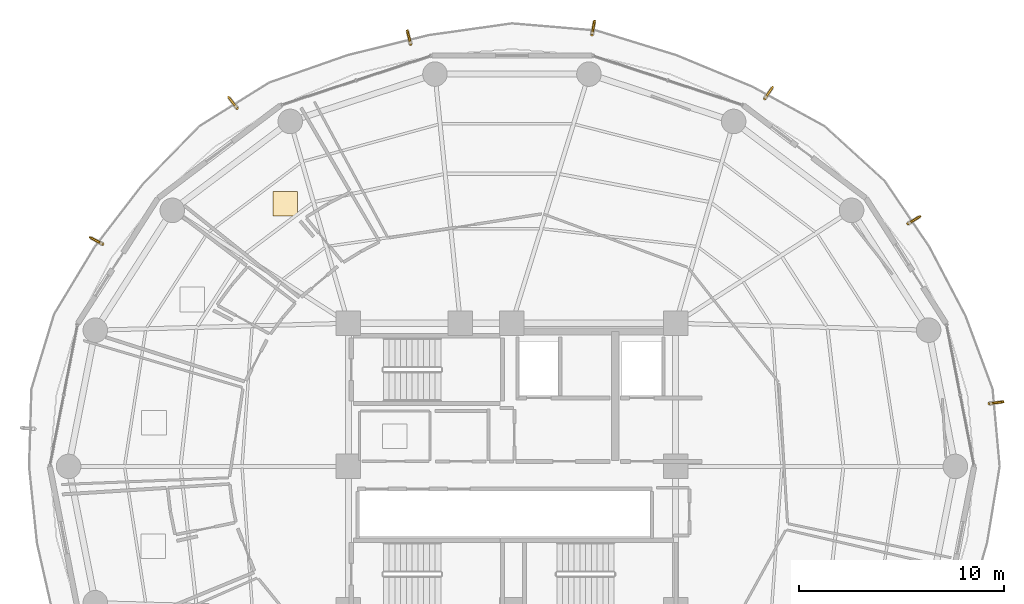
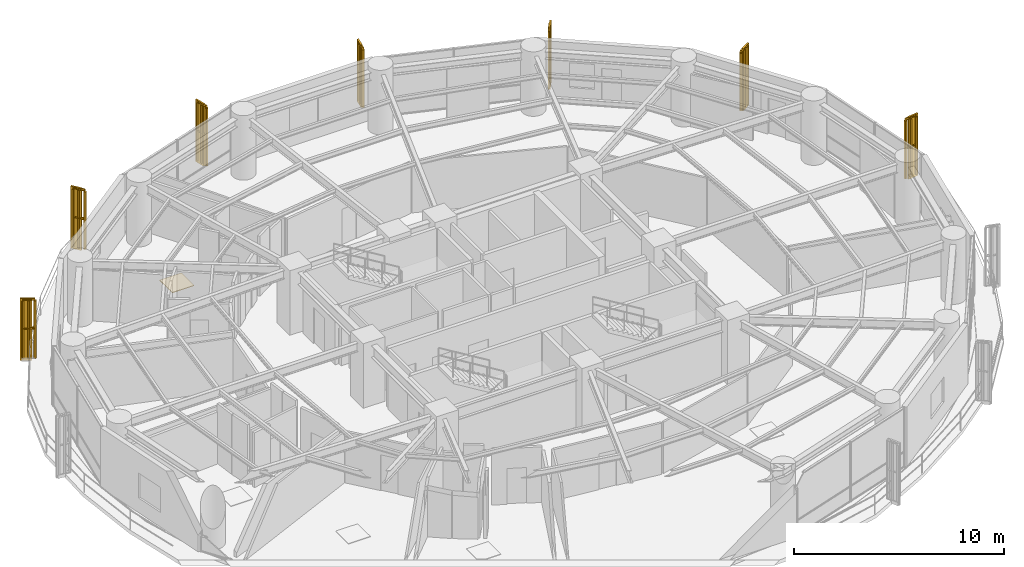
# One storey, part 27 of 27: 7 railings, 7 shading devices, 1 covering.
"""IFC4 building model written with IfcOpenShell, lengths in metres."""

from ifc_helpers import new_model, si_unit, direction, frame, origin, origin_2d, place, context, subcontext, project, spatial, polyline, rectangle, outline, extrude, source, transform, mapped, material, layer, layer_set, type_object, element, save


model = new_model("IFC4")

# Units and contexts
model_context = context("Model", 3, precision=1e-05, world=origin(), true_north=direction((0.0, 1.0)))
body_context = subcontext(model_context, "Body", "Model", "MODEL_VIEW")
ifc_project = project(units=[si_unit("LENGTHUNIT", "METRE"), si_unit("AREAUNIT", "SQUARE_METRE"), si_unit("VOLUMEUNIT", "CUBIC_METRE"), si_unit("PLANEANGLEUNIT", "RADIAN"), si_unit("MASSUNIT", "GRAM", prefix="KILO")], contexts=[model_context])

# Site, building, storey
site_placement = place(None, origin())
site = spatial("IfcSite", under=ifc_project, at=site_placement, CompositionType="ELEMENT")
building_placement = place(site_placement, origin())
building = spatial("IfcBuilding", under=site, at=building_placement, Name="Kelanora Arch Commons", CompositionType="ELEMENT")
storey_placement = place(building_placement, frame((0.0, 0.0, 150.60009765625)))
storey = spatial("IfcBuildingStorey", under=building, at=storey_placement, Name="L38", CompositionType="ELEMENT", Elevation=150.60009765625)

# Railings
ifc_material_1 = material(Name="Anodised bronze vertical shading fin rib assembly")
railing_type = type_object("IfcRailingType", Name="RAIL-FIN-BRZ", PredefinedType="BALUSTRADE", material=ifc_material_1)
railing_1_placement = place(storey_placement, frame((97.341796875, 61.072509765625, -0.02001953125)))
element("IfcRailing", 1, at=railing_1_placement, inside=storey, type_object=railing_type, Name="Sweeping Bronze Vertical Fin Blade L38-00", PredefinedType="BALUSTRADE", context=body_context, shape_type="SweptSolid", body=[
    extrude(outline(polyline([(0.06982421875, 0.0), (0.034912109375, 0.060546875), (-0.034912109375, 0.060546875), (-0.06982421875, 0.0), (-0.034912109375, -0.060546875), (0.034912109375, -0.060546875), (0.06982421875, 0.0)])), frame((0.0, 0.0, 3.419921875), z_axis=(0.991416589713, 0.130740757387, 0.0), x_axis=(-0.130740757387, 0.991416589713, 0.0)), (0.0, 0.0, 1.0), 0.595703125),
    extrude(outline(polyline([(0.06982421875, 0.0), (0.034912109375, 0.060546875), (-0.034912109375, 0.060546875), (-0.06982421875, 0.0), (-0.034912109375, -0.060546875), (0.034912109375, -0.060546875), (0.06982421875, 0.0)])), frame((0.0, 0.0, 1.7451171875), z_axis=(0.991416589713, 0.130740757387, 0.0), x_axis=(-0.130740757387, 0.991416589713, 0.0)), (0.0, 0.0, 1.0), 0.595703125),
    extrude(outline(polyline([(0.080078125, 0.0), (0.0400390625, 0.0693359375), (-0.0400390625, 0.0693359375), (-0.080078125, 0.0), (-0.0400390625, -0.0693359375), (0.0400390625, -0.0693359375), (0.080078125, 0.0)])), origin(), (0.0, 0.0, 1.0), 3.35009765625),
    extrude(outline(polyline([(0.080078125, 0.0), (0.0400390625, 0.0693359375), (-0.0400390625, 0.0693359375), (-0.080078125, 0.0), (-0.0400390625, -0.0693359375), (0.0400390625, -0.0693359375), (0.080078125, 0.0)])), frame((0.29541015625, 0.0390625, 0.0)), (0.0, 0.0, 1.0), 3.35009765625),
    extrude(outline(polyline([(0.080078125, 0.0), (0.0400390625, 0.0693359375), (-0.0400390625, 0.0693359375), (-0.080078125, 0.0), (-0.0400390625, -0.0693359375), (0.0400390625, -0.0693359375), (0.080078125, 0.0)])), frame((0.590576171875, 0.077880859375, 0.0)), (0.0, 0.0, 1.0), 3.35009765625),
])
railing_2_placement = place(storey_placement, frame((93.37109375, 69.8701171875, -0.02001953125)))
element("IfcRailing", 2, at=railing_2_placement, inside=storey, type_object=railing_type, Name="Sweeping Bronze Vertical Fin Blade L38-01", PredefinedType="BALUSTRADE", context=body_context, shape_type="SweptSolid", body=[
    extrude(outline(polyline([(0.06982421875, 0.0), (0.034912109375, 0.060546875), (-0.034912109375, 0.060546875), (-0.06982421875, 0.0), (-0.034912109375, -0.060546875), (0.034912109375, -0.060546875), (0.06982421875, 0.0)])), frame((0.0, 0.0, 3.419921875), z_axis=(0.852571796006, 0.52261011534, 0.0), x_axis=(-0.52261011534, 0.852571796006, 0.0)), (0.0, 0.0, 1.0), 0.595703125),
    extrude(outline(polyline([(0.06982421875, 0.0), (0.034912109375, 0.060546875), (-0.034912109375, 0.060546875), (-0.06982421875, 0.0), (-0.034912109375, -0.060546875), (0.034912109375, -0.060546875), (0.06982421875, 0.0)])), frame((0.0, 0.0, 1.7451171875), z_axis=(0.852571796006, 0.52261011534, 0.0), x_axis=(-0.52261011534, 0.852571796006, 0.0)), (0.0, 0.0, 1.0), 0.595703125),
    extrude(outline(polyline([(0.080078125, 0.0), (0.0400390625, 0.0693359375), (-0.0400390625, 0.0693359375), (-0.080078125, 0.0), (-0.0400390625, -0.0693359375), (0.0400390625, -0.0693359375), (0.080078125, 0.0)])), origin(), (0.0, 0.0, 1.0), 3.35009765625),
    extrude(outline(polyline([(0.080078125, 0.0), (0.0400390625, 0.0693359375), (-0.0400390625, 0.0693359375), (-0.080078125, 0.0), (-0.0400390625, -0.0693359375), (0.0400390625, -0.0693359375), (0.080078125, 0.0)])), frame((0.25390625, 0.15576171875, 0.0)), (0.0, 0.0, 1.0), 3.35009765625),
    extrude(outline(polyline([(0.080078125, 0.0), (0.0400390625, 0.0693359375), (-0.0400390625, 0.0693359375), (-0.080078125, 0.0), (-0.0400390625, -0.0693359375), (0.0400390625, -0.0693359375), (0.080078125, 0.0)])), frame((0.5078125, 0.311279296875, 0.0)), (0.0, 0.0, 1.0), 3.35009765625),
])
railing_3_placement = place(storey_placement, frame((86.36328125, 75.98828125, -0.02001953125)))
element("IfcRailing", 3, at=railing_3_placement, inside=storey, type_object=railing_type, Name="Sweeping Bronze Vertical Fin Blade L38-02", PredefinedType="BALUSTRADE", context=body_context, shape_type="SweptSolid", body=[
    extrude(outline(polyline([(0.06982421875, 0.0), (0.034912109375, 0.060546875), (-0.034912109375, 0.060546875), (-0.06982421875, 0.0), (-0.034912109375, -0.060546875), (0.034912109375, -0.060546875), (0.06982421875, 0.0)])), frame((0.0, 0.0, 3.419921875), z_axis=(0.56656361998, 0.824018000116, 0.0), x_axis=(-0.824018000116, 0.56656361998, 0.0)), (0.0, 0.0, 1.0), 0.595458984375),
    extrude(outline(polyline([(0.06982421875, 0.0), (0.034912109375, 0.060546875), (-0.034912109375, 0.060546875), (-0.06982421875, 0.0), (-0.034912109375, -0.060546875), (0.034912109375, -0.060546875), (0.06982421875, 0.0)])), frame((0.0, 0.0, 1.7451171875), z_axis=(0.56656361998, 0.824018000116, 0.0), x_axis=(-0.824018000116, 0.56656361998, 0.0)), (0.0, 0.0, 1.0), 0.595458984375),
    extrude(outline(polyline([(0.080078125, 0.0), (0.0400390625, 0.0693359375), (-0.0400390625, 0.0693359375), (-0.080078125, 0.0), (-0.0400390625, -0.0693359375), (0.0400390625, -0.0693359375), (0.080078125, 0.0)])), origin(), (0.0, 0.0, 1.0), 3.35009765625),
    extrude(outline(polyline([(0.080078125, 0.0), (0.0400390625, 0.0693359375), (-0.0400390625, 0.0693359375), (-0.080078125, 0.0), (-0.0400390625, -0.0693359375), (0.0400390625, -0.0693359375), (0.080078125, 0.0)])), frame((0.168701171875, 0.245361328125, 0.0)), (0.0, 0.0, 1.0), 3.35009765625),
    extrude(outline(polyline([(0.080078125, 0.0), (0.0400390625, 0.0693359375), (-0.0400390625, 0.0693359375), (-0.080078125, 0.0), (-0.0400390625, -0.0693359375), (0.0400390625, -0.0693359375), (0.080078125, 0.0)])), frame((0.33740234375, 0.49072265625, 0.0)), (0.0, 0.0, 1.0), 3.35009765625),
])
railing_4_placement = place(storey_placement, frame((77.913818359375, 79.115234375, -0.02001953125)))
element("IfcRailing", 4, at=railing_4_placement, inside=storey, type_object=railing_type, Name="Sweeping Bronze Vertical Fin Blade L38-03", PredefinedType="BALUSTRADE", context=body_context, shape_type="SweptSolid", body=[
    extrude(outline(polyline([(0.06982421875, 0.0), (0.034912109375, 0.060546875), (-0.034912109375, 0.060546875), (-0.06982421875, 0.0), (-0.034912109375, -0.060546875), (0.034912109375, -0.060546875), (0.06982421875, 0.0)])), frame((0.0, 0.0, 3.419921875), z_axis=(0.182456302615, 0.983213963304, 0.0), x_axis=(-0.983213963304, 0.182456302615, 0.0)), (0.0, 0.0, 1.0), 0.595458984375),
    extrude(outline(polyline([(0.06982421875, 0.0), (0.034912109375, 0.060546875), (-0.034912109375, 0.060546875), (-0.06982421875, 0.0), (-0.034912109375, -0.060546875), (0.034912109375, -0.060546875), (0.06982421875, 0.0)])), frame((0.0, 0.0, 1.7451171875), z_axis=(0.182456302615, 0.983213963304, 0.0), x_axis=(-0.983213963304, 0.182456302615, 0.0)), (0.0, 0.0, 1.0), 0.595458984375),
    extrude(outline(polyline([(0.080078125, 0.0), (0.0400390625, 0.0693359375), (-0.0400390625, 0.0693359375), (-0.080078125, 0.0), (-0.0400390625, -0.0693359375), (0.0400390625, -0.0693359375), (0.080078125, 0.0)])), origin(), (0.0, 0.0, 1.0), 3.35009765625),
    extrude(outline(polyline([(0.080078125, 0.0), (0.0400390625, 0.0693359375), (-0.0400390625, 0.0693359375), (-0.080078125, 0.0), (-0.0400390625, -0.0693359375), (0.0400390625, -0.0693359375), (0.080078125, 0.0)])), frame((0.05419921875, 0.292724609375, 0.0)), (0.0, 0.0, 1.0), 3.35009765625),
    extrude(outline(polyline([(0.080078125, 0.0), (0.0400390625, 0.0693359375), (-0.0400390625, 0.0693359375), (-0.080078125, 0.0), (-0.0400390625, -0.0693359375), (0.0400390625, -0.0693359375), (0.080078125, 0.0)])), frame((0.108642578125, 0.58544921875, 0.0)), (0.0, 0.0, 1.0), 3.35009765625),
])
railing_5_placement = place(storey_placement, frame((69.043701171875, 78.64599609375, -0.02001953125)))
element("IfcRailing", 5, at=railing_5_placement, inside=storey, type_object=railing_type, Name="Sweeping Bronze Vertical Fin Blade L38-04", PredefinedType="BALUSTRADE", context=body_context, shape_type="SweptSolid", body=[
    extrude(outline(polyline([(0.06982421875, 0.0), (0.034912109375, 0.060546875), (-0.034912109375, 0.060546875), (-0.06982421875, 0.0), (-0.034912109375, -0.060546875), (0.034912109375, -0.060546875), (0.06982421875, 0.0)])), frame((0.0, 0.0, 3.419921875), z_axis=(-0.233264415271, 0.972413344503, 0.0), x_axis=(-0.972413344503, -0.233264415271, 0.0)), (0.0, 0.0, 1.0), 0.595458984375),
    extrude(outline(polyline([(0.06982421875, 0.0), (0.034912109375, 0.060546875), (-0.034912109375, 0.060546875), (-0.06982421875, 0.0), (-0.034912109375, -0.060546875), (0.034912109375, -0.060546875), (0.06982421875, 0.0)])), frame((0.0, 0.0, 1.7451171875), z_axis=(-0.233264415271, 0.972413344503, 0.0), x_axis=(-0.972413344503, -0.233264415271, 0.0)), (0.0, 0.0, 1.0), 0.595458984375),
    extrude(outline(polyline([(0.080078125, 0.0), (0.0400390625, 0.0693359375), (-0.0400390625, 0.0693359375), (-0.080078125, 0.0), (-0.0400390625, -0.0693359375), (0.0400390625, -0.0693359375), (0.080078125, 0.0)])), origin(), (0.0, 0.0, 1.0), 3.35009765625),
    extrude(outline(polyline([(0.080078125, 0.0), (0.0400390625, 0.0693359375), (-0.0400390625, 0.0693359375), (-0.080078125, 0.0), (-0.0400390625, -0.0693359375), (0.0400390625, -0.0693359375), (0.080078125, 0.0)])), frame((-0.0693359375, 0.28955078125, 0.0)), (0.0, 0.0, 1.0), 3.35009765625),
    extrude(outline(polyline([(0.080078125, 0.0), (0.0400390625, 0.0693359375), (-0.0400390625, 0.0693359375), (-0.080078125, 0.0), (-0.0400390625, -0.0693359375), (0.0400390625, -0.0693359375), (0.080078125, 0.0)])), frame((-0.138916015625, 0.5791015625, 0.0)), (0.0, 0.0, 1.0), 3.35009765625),
])
railing_6_placement = place(storey_placement, frame((60.551025390625, 75.527587890625, -0.02001953125)))
element("IfcRailing", 6, at=railing_6_placement, inside=storey, type_object=railing_type, Name="Sweeping Bronze Vertical Fin Blade L38-05", PredefinedType="BALUSTRADE", context=body_context, shape_type="SweptSolid", body=[
    extrude(outline(polyline([(0.06982421875, 0.0), (0.034912109375, 0.060546875), (-0.034912109375, 0.060546875), (-0.06982421875, 0.0), (-0.034912109375, -0.060546875), (0.034912109375, -0.060546875), (0.06982421875, 0.0)])), frame((0.0, 0.0, 3.419921875), z_axis=(-0.608560672475, 0.793507345849, 0.0), x_axis=(-0.793507345849, -0.608560672475, 0.0)), (0.0, 0.0, 1.0), 0.595458984375),
    extrude(outline(polyline([(0.06982421875, 0.0), (0.034912109375, 0.060546875), (-0.034912109375, 0.060546875), (-0.06982421875, 0.0), (-0.034912109375, -0.060546875), (0.034912109375, -0.060546875), (0.06982421875, 0.0)])), frame((0.0, 0.0, 1.7451171875), z_axis=(-0.608560672475, 0.793507345849, 0.0), x_axis=(-0.793507345849, -0.608560672475, 0.0)), (0.0, 0.0, 1.0), 0.595458984375),
    extrude(outline(polyline([(0.080078125, 0.0), (0.0400390625, 0.0693359375), (-0.0400390625, 0.0693359375), (-0.080078125, 0.0), (-0.0400390625, -0.0693359375), (0.0400390625, -0.0693359375), (0.080078125, 0.0)])), origin(), (0.0, 0.0, 1.0), 3.35009765625),
    extrude(outline(polyline([(0.080078125, 0.0), (0.0400390625, 0.0693359375), (-0.0400390625, 0.0693359375), (-0.080078125, 0.0), (-0.0400390625, -0.0693359375), (0.0400390625, -0.0693359375), (0.080078125, 0.0)])), frame((-0.18115234375, 0.236328125, 0.0)), (0.0, 0.0, 1.0), 3.35009765625),
    extrude(outline(polyline([(0.080078125, 0.0), (0.0400390625, 0.0693359375), (-0.0400390625, 0.0693359375), (-0.080078125, 0.0), (-0.0400390625, -0.0693359375), (0.0400390625, -0.0693359375), (0.080078125, 0.0)])), frame((-0.3623046875, 0.472412109375, 0.0)), (0.0, 0.0, 1.0), 3.35009765625),
])
railing_7_placement = place(storey_placement, frame((53.974365234375, 68.87353515625, -0.02001953125)))
element("IfcRailing", 7, at=railing_7_placement, inside=storey, type_object=railing_type, Name="Sweeping Bronze Vertical Fin Blade L38-06", PredefinedType="BALUSTRADE", context=body_context, shape_type="SweptSolid", body=[
    extrude(outline(polyline([(0.06982421875, 0.0), (0.034912109375, 0.060546875), (-0.034912109375, 0.060546875), (-0.06982421875, 0.0), (-0.034912109375, -0.060546875), (0.034912109375, -0.060546875), (0.06982421875, 0.0)])), frame((0.0, 0.0, 3.419921875), z_axis=(-0.878740423089, 0.477299977823, 0.0), x_axis=(-0.477299977823, -0.878740423089, 0.0)), (0.0, 0.0, 1.0), 0.595458984375),
    extrude(outline(polyline([(0.06982421875, 0.0), (0.034912109375, 0.060546875), (-0.034912109375, 0.060546875), (-0.06982421875, 0.0), (-0.034912109375, -0.060546875), (0.034912109375, -0.060546875), (0.06982421875, 0.0)])), frame((0.0, 0.0, 1.7451171875), z_axis=(-0.878740423089, 0.477299977823, 0.0), x_axis=(-0.477299977823, -0.878740423089, 0.0)), (0.0, 0.0, 1.0), 0.595458984375),
    extrude(outline(polyline([(0.080078125, 0.0), (0.0400390625, 0.0693359375), (-0.0400390625, 0.0693359375), (-0.080078125, 0.0), (-0.0400390625, -0.0693359375), (0.0400390625, -0.0693359375), (0.080078125, 0.0)])), origin(), (0.0, 0.0, 1.0), 3.35009765625),
    extrude(outline(polyline([(0.080078125, 0.0), (0.0400390625, 0.0693359375), (-0.0400390625, 0.0693359375), (-0.080078125, 0.0), (-0.0400390625, -0.0693359375), (0.0400390625, -0.0693359375), (0.080078125, 0.0)])), frame((-0.26171875, 0.14208984375, 0.0)), (0.0, 0.0, 1.0), 3.35009765625),
    extrude(outline(polyline([(0.080078125, 0.0), (0.0400390625, 0.0693359375), (-0.0400390625, 0.0693359375), (-0.080078125, 0.0), (-0.0400390625, -0.0693359375), (0.0400390625, -0.0693359375), (0.080078125, 0.0)])), frame((-0.523193359375, 0.2841796875, 0.0)), (0.0, 0.0, 1.0), 3.35009765625),
])

# Shading devices
ifc_material_2 = material(Name="Terracotta ceramic-clad extruded aluminium fin", Category="masonry")
shading_device_type = type_object("IfcShadingDeviceType", Name="SHD-FIN-WAIST", PredefinedType="USERDEFINED", material=ifc_material_2)
shared_shape_1 = source(origin(), body_context, "Body", "SweptSolid", [
    extrude(rectangle(XDim=0.56005859375, YDim=0.090087890625, at=origin_2d()), origin(), (0.0, 0.0, 1.0), 3.610107421875),
])
for number, where, z_axis, x_axis, name in (
    (8, (97.77587890625, 61.129638671875, -0.14013671875), (0.0, 0.0, 1.0), (0.991444861374, 0.13052619222, 0.0), "Sweeping Terracotta Fin L38-00"),
    (9, (93.744384765625, 70.098876953125, -0.14013671875), (0.0, 0.0, 1.0), (0.852640164354, 0.522498564716, 0.0), "Sweeping Terracotta Fin L38-01"),
    (10, (86.611328125, 76.34912109375, -0.14013671875), (0.0, 0.0, 1.0), (0.566406236925, 0.824126188622, 0.0), "Sweeping Terracotta Fin L38-02"),
    (11, (77.99365234375, 79.545654296875, -0.14013671875), (0.0, 0.0, 1.0), (0.182235525492, 0.983254907564, 0.0), "Sweeping Terracotta Fin L38-03"),
    (12, (68.94140625, 79.071533203125, -0.14013671875), (0.0, 0.0, 1.0), (-0.233445363856, 0.972369920398, 0.0), "Sweeping Terracotta Fin L38-04"),
    (13, (60.28466796875, 75.875, -0.14013671875), (0.0, 0.0, 1.0), (-0.608761429009, 0.793353340291, 0.0), "Sweeping Terracotta Fin L38-05"),
    (14, (53.589599609375, 69.082275390625, -0.14013671875), (0.0, 0.0, 1.0), (-0.878817112662, 0.47715876026, 0.0), "Sweeping Terracotta Fin L38-06"),
):
    element("IfcShadingDevice", number, at=place(storey_placement, frame(where, z_axis=z_axis, x_axis=x_axis)), inside=storey, type_object=shading_device_type, Name=name, ObjectType="FIN", PredefinedType="USERDEFINED", context=body_context, shape_type="MappedRepresentation", body=[
        mapped(shared_shape_1, transform((0.0, 0.0, 0.0), scale=1.0)),
    ])

# Covering
ifc_material_3 = material(Name="Polished local granite terrazzo flooring", Category="masonry")
ifc_layer = layer(ifc_material_3, 0.030029296875)
ifc_layer_set = layer_set([ifc_layer], Name="Polished local granite terrazzo flooring")
covering_type = type_object("IfcCoveringType", Name="COV-FLR-TER", PredefinedType="FLOORING", material=ifc_layer_set)
shared_shape_2 = source(origin(), body_context, "Body", "SweptSolid", [
    extrude(rectangle(XDim=1.199951171875, YDim=1.199951171875, at=origin_2d()), origin(), (0.0, 0.0, 1.0), 0.030029296875),
])
covering_placement = place(storey_placement, frame((62.904296875, 70.841796875, 0.0), z_axis=(0.0, 0.0, 1.0), x_axis=(1.0, 0.0, 0.0)))
element("IfcCovering", 15, at=covering_placement, inside=storey, type_object=covering_type, Name="Co-Living Studio L38-01 Terrazzo Finish", PredefinedType="FLOORING", context=body_context, shape_type="MappedRepresentation", body=[
    mapped(shared_shape_2, transform((0.0, 0.0, 0.0), scale=1.0)),
])

save(model, "model.ifc")
